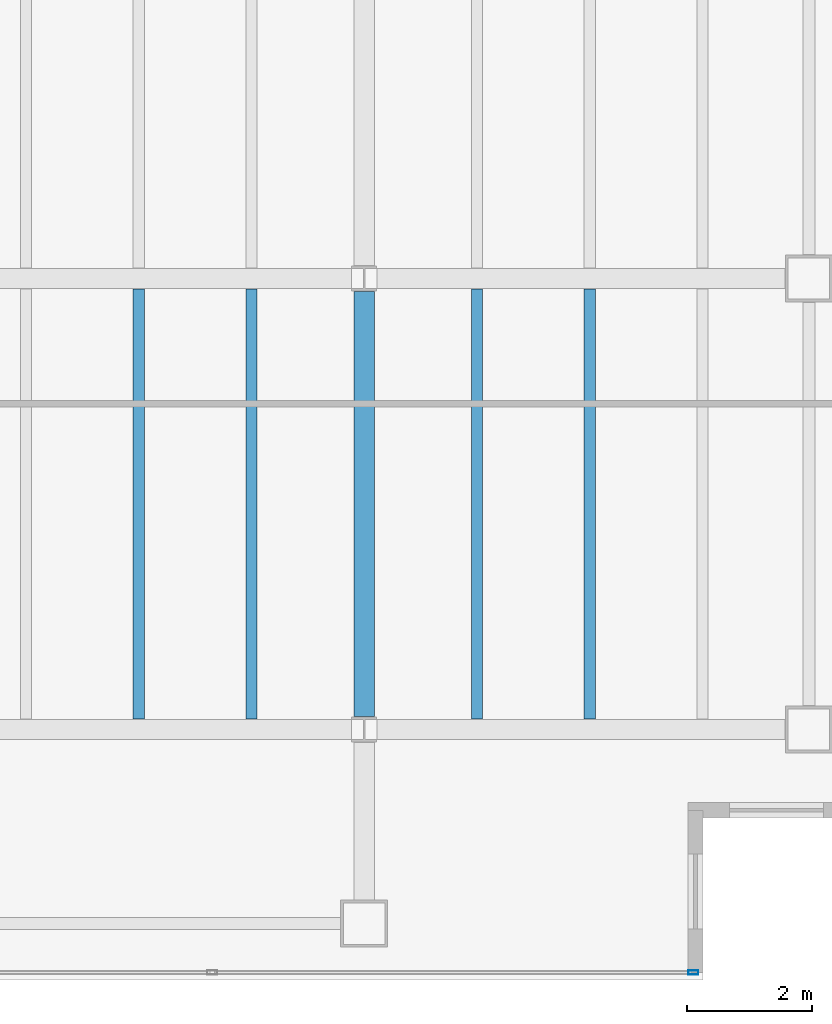
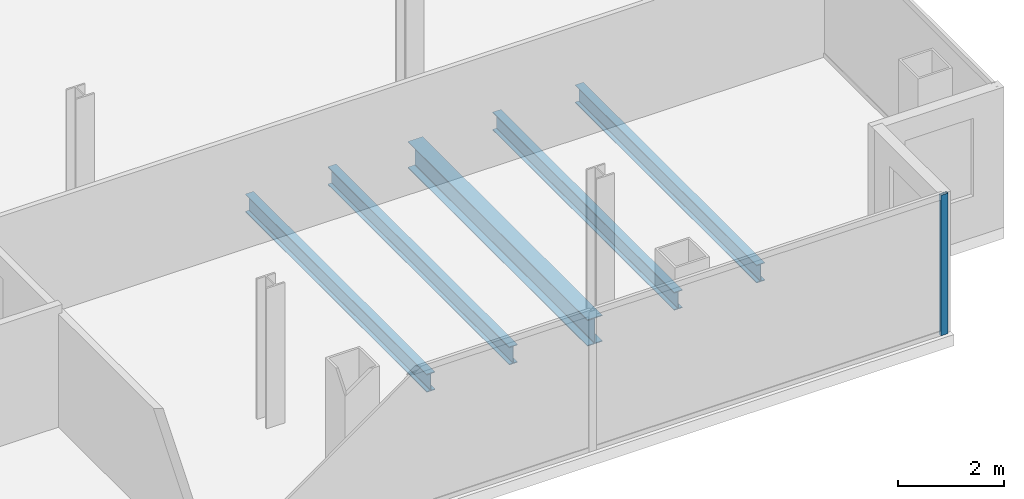
# One storey, part 11 of 23: 5 beams, 1 member, 1 element without a shape of its own.
"""IFC4 building model written with IfcOpenShell, lengths in metres."""

from ifc_helpers import new_model, si_unit, direction, frame, origin, origin_2d, place, context, subcontext, project, spatial, hollow_rectangle, i_section, extrude, material, material_profile, profile_set, type_object, element, aggregate, save


model = new_model("IFC4")

# Units and contexts
model_context = context("Model", 3, precision=1e-05, world=origin(), true_north=direction((0.0, 1.0)))
body_context = subcontext(model_context, "Body", "Model", "MODEL_VIEW")
ifc_project = project(units=[si_unit("LENGTHUNIT", "METRE"), si_unit("AREAUNIT", "SQUARE_METRE"), si_unit("VOLUMEUNIT", "CUBIC_METRE"), si_unit("PLANEANGLEUNIT", "RADIAN"), si_unit("MASSUNIT", "GRAM", prefix="KILO")], contexts=[model_context])

# Site, building, storey
site_placement = place(None, origin())
site = spatial("IfcSite", under=ifc_project, at=site_placement, CompositionType="ELEMENT")
building_placement = place(site_placement, origin())
building = spatial("IfcBuilding", under=site, at=building_placement, Name="Cobrela Telecom Tower", CompositionType="ELEMENT")
storey_placement = place(building_placement, frame((0.0, 0.0, 204.75)))
storey = spatial("IfcBuildingStorey", under=building, at=storey_placement, Name="L52", CompositionType="ELEMENT", Elevation=204.75)

# Beams
ifc_material_1 = material(Name="Steel ASTM A992 Grade 50", Category="steel")
ifc_material_profile_1 = material_profile(ifc_material_1, i_section(OverallWidth=0.324951171875, OverallDepth=0.612060546875, WebThickness=0.0126953125, FlangeThickness=0.01904296875, FilletRadius=0.014892578125, at=origin_2d()), Name="W24X104")
ifc_profile_set_1 = profile_set([ifc_material_profile_1], Name="Steel ASTM A992 Grade 50")
beam_type_1 = type_object("IfcBeamType", Name="BM-GIRD-07", PredefinedType="USERDEFINED", material=ifc_profile_set_1)
beam_placement = place(storey_placement, frame((36.0, 7.404541015625, -0.56591796875), z_axis=(0.0, 1.0, 0.0), x_axis=(-1.0, 0.0, 0.0)))
element("IfcBeam", 1, at=beam_placement, inside=storey, type_object=beam_type_1, Name="L52 Primary Girder Y40", ObjectType="GIRDER", PredefinedType="USERDEFINED", context=body_context, shape_type="SweptSolid", body=[
    extrude(i_section(OverallWidth=0.324951171875, OverallDepth=0.612060546875, WebThickness=0.0126953125, FlangeThickness=0.01904296875, FilletRadius=0.014892578125, at=origin_2d()), origin(), (0.0, 0.0, 1.0), 6.791015625),
])
ifc_material_profile_2 = material_profile(ifc_material_1, i_section(OverallWidth=0.179931640625, OverallDepth=0.4169921875, WebThickness=0.010986328125, FlangeThickness=0.01806640625, FilletRadius=0.011962890625, at=origin_2d()), Name="W16X57")
ifc_profile_set_2 = profile_set([ifc_material_profile_2], Name="Steel ASTM A992 Grade 50")
beam_type_2 = type_object("IfcBeamType", Name="BM-JOIST-04", PredefinedType="JOIST", material=ifc_profile_set_2)
for number, where, z_axis, x_axis, name in (
    (2, (32.39990234375, 7.367431640625, -0.468505859375), (0.0, 1.0, 0.0), (-1.0, 0.0, 0.0), "L52 Secondary Composite Floor Beam J21"),
    (3, (34.199951171875, 7.367431640625, -0.468505859375), (0.0, 1.0, 0.0), (-1.0, 0.0, 0.0), "L52 Secondary Composite Floor Beam J23"),
    (4, (37.800048828125, 7.367431640625, -0.468505859375), (0.0, 1.0, 0.0), (-1.0, 0.0, 0.0), "L52 Secondary Composite Floor Beam J25"),
    (5, (39.60009765625, 7.367431640625, -0.468505859375), (0.0, 1.0, 0.0), (-1.0, 0.0, 0.0), "L52 Secondary Composite Floor Beam J27"),
):
    element("IfcBeam", number, at=place(storey_placement, frame(where, z_axis=z_axis, x_axis=x_axis)), inside=storey, type_object=beam_type_2, Name=name, PredefinedType="JOIST", context=body_context, shape_type="SweptSolid", body=[
        extrude(i_section(OverallWidth=0.179931640625, OverallDepth=0.4169921875, WebThickness=0.010986328125, FlangeThickness=0.01806640625, FilletRadius=0.011962890625, at=origin_2d()), origin(), (0.0, 0.0, 1.0), 6.864990234375),
    ])

# Curtain wall, member
ifc_material_2 = material(Name="Anodized Bronze Aluminium 6063-T6", Category="aluminium")
curtain_wall_type = type_object("IfcCurtainWallType", Name="CW-SYS-OFF-LO", PredefinedType="USERDEFINED", material=ifc_material_2)
curtain_wall_placement = place(storey_placement, origin())
curtain_wall = element("IfcCurtainWall", 6, at=curtain_wall_placement, inside=storey, type_object=curtain_wall_type, Name="L52 Unitised Bronze Curtain Wall 17", ObjectType="UNITISED CURTAIN WALL", PredefinedType="USERDEFINED")
ifc_material_profile_3 = material_profile(ifc_material_2, hollow_rectangle(XDim=0.070068359375, YDim=0.159912109375, WallThickness=0.00390625, at=origin_2d()), Name="ALU 70x160x4")
ifc_profile_set_3 = profile_set([ifc_material_profile_3], Name="Anodized Bronze Aluminium 6063-T6")
member_type = type_object("IfcMemberType", Name="CW-SYS-OFF-LO-MUL", PredefinedType="MULLION", material=ifc_profile_set_3)
member_placement = place(storey_placement, frame((41.2548828125, 3.320068359375, 0.0), z_axis=(0.0, 0.0, 1.0), x_axis=(0.0, -1.0, 0.0)))
member = element("IfcMember", 7, at=member_placement, type_object=member_type, Name="CW-OFF-LO mullion 1", PredefinedType="MULLION", context=body_context, shape_type="SweptSolid", body=[
    extrude(hollow_rectangle(XDim=0.070068359375, YDim=0.159912109375, WallThickness=0.00390625, at=origin_2d()), origin(), (0.0, 0.0, 1.0), 3.239990234375),
])
aggregate(curtain_wall, [member])

save(model, "model.ifc")
